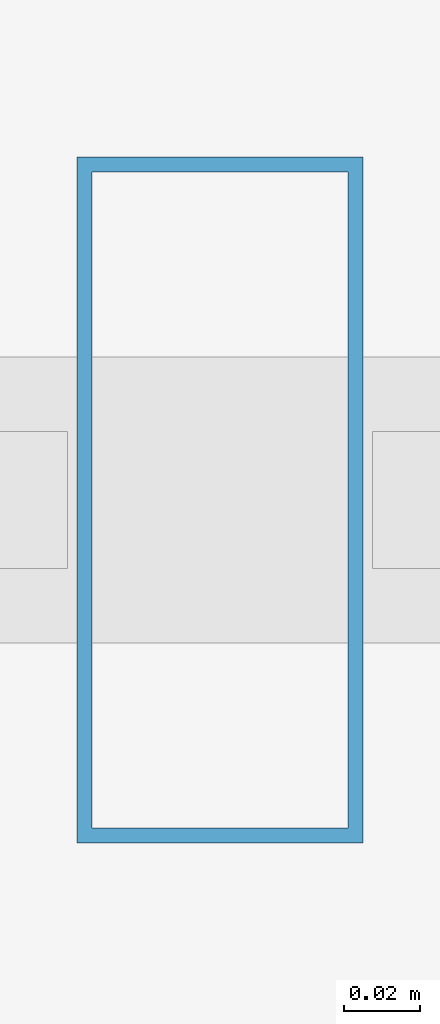
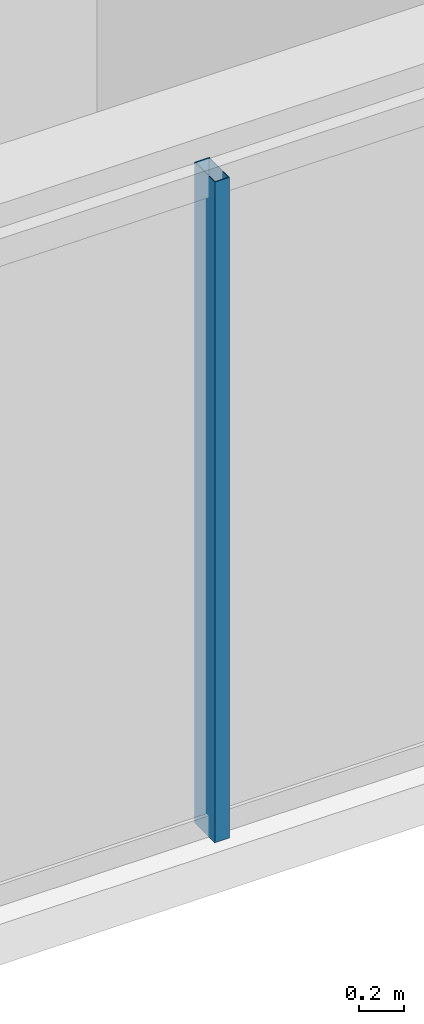
# One storey, part 4 of 33: 1 member, 1 element without a shape of its own.
"""IFC4 building model written with IfcOpenShell, lengths in metres."""

from ifc_helpers import new_model, si_unit, direction, frame, origin, origin_2d, place, context, subcontext, project, spatial, hollow_rectangle, extrude, material, layer, layer_set, material_profile, profile_set, type_object, element, aggregate, save


model = new_model("IFC4")

# Units and contexts
model_context = context("Model", 3, precision=1e-05, world=origin(), true_north=direction((0.0, 1.0)))
body_context = subcontext(model_context, "Body", "Model", "MODEL_VIEW")
ifc_project = project(units=[si_unit("LENGTHUNIT", "METRE"), si_unit("AREAUNIT", "SQUARE_METRE"), si_unit("VOLUMEUNIT", "CUBIC_METRE"), si_unit("PLANEANGLEUNIT", "RADIAN"), si_unit("MASSUNIT", "GRAM", prefix="KILO")], contexts=[model_context])

# Site, building, storey
site_placement = place(None, origin())
site = spatial("IfcSite", under=ifc_project, at=site_placement, CompositionType="ELEMENT")
building_placement = place(site_placement, origin())
building = spatial("IfcBuilding", under=site, at=building_placement, Name="Ndaravel Arena Tower", CompositionType="ELEMENT")
storey_placement = place(building_placement, frame((0.0, 0.0, 168.800048828125)))
storey = spatial("IfcBuildingStorey", under=building, at=storey_placement, Name="L40", CompositionType="ELEMENT", Elevation=168.800048828125)

# Curtain wall, member
ifc_material_1 = material(Name="Aluminium", Category="aluminium")
ifc_layer = layer(ifc_material_1, 0.179931640625)
ifc_layer_set = layer_set([ifc_layer], Name="Aluminium")
curtain_wall_type = type_object("IfcCurtainWallType", Name="CW-SYS-03", PredefinedType="NOTDEFINED", material=ifc_layer_set)
curtain_wall_placement = place(storey_placement, origin())
curtain_wall = element("IfcCurtainWall", 1, at=curtain_wall_placement, inside=storey, type_object=curtain_wall_type, Name="L40 Faceted Crystal Curtain Wall CW-L40-E01", PredefinedType="NOTDEFINED")
ifc_material_2 = material(Name="Aluminium", Category="aluminium")
ifc_material_profile = material_profile(ifc_material_2, hollow_rectangle(XDim=0.074951171875, YDim=0.179931640625, WallThickness=0.00390625, at=origin_2d()), Name="CW MULLION 75x180x4")
ifc_profile_set = profile_set([ifc_material_profile], Name="Aluminium")
member_type = type_object("IfcMemberType", Name="MEM-CW-MUL180", PredefinedType="MULLION", material=ifc_profile_set)
member_placement = place(storey_placement, frame((32.8046875, 5.159912109375, 0.0), z_axis=(0.0, 0.0, 1.0), x_axis=(1.0, 0.0, 0.0)))
member = element("IfcMember", 2, at=member_placement, type_object=member_type, Name="CW-L40-E01 Mullion 02", PredefinedType="MULLION", context=body_context, shape_type="SweptSolid", body=[
    extrude(hollow_rectangle(XDim=0.074951171875, YDim=0.179931640625, WallThickness=0.00390625, at=origin_2d()), origin(), (0.0, 0.0, 1.0), 3.579833984375),
])
aggregate(curtain_wall, [member])

save(model, "model.ifc")
